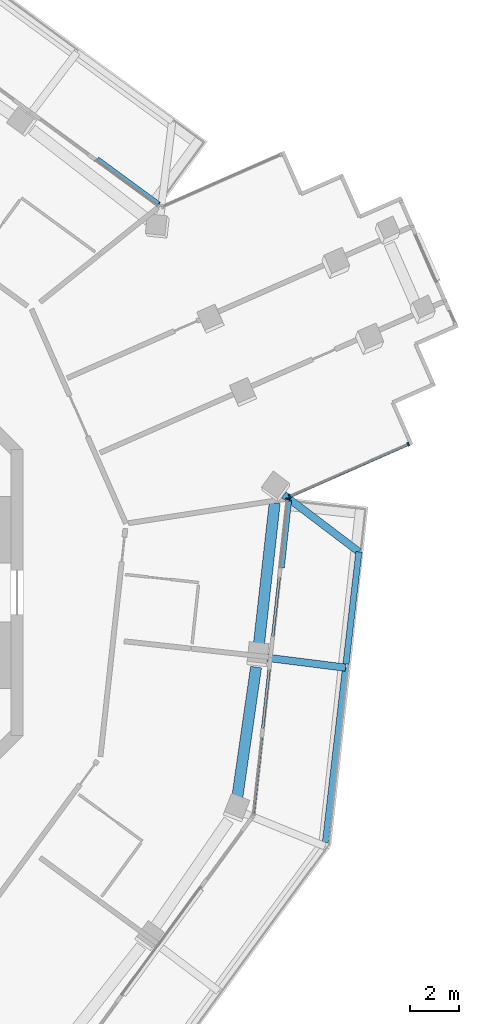
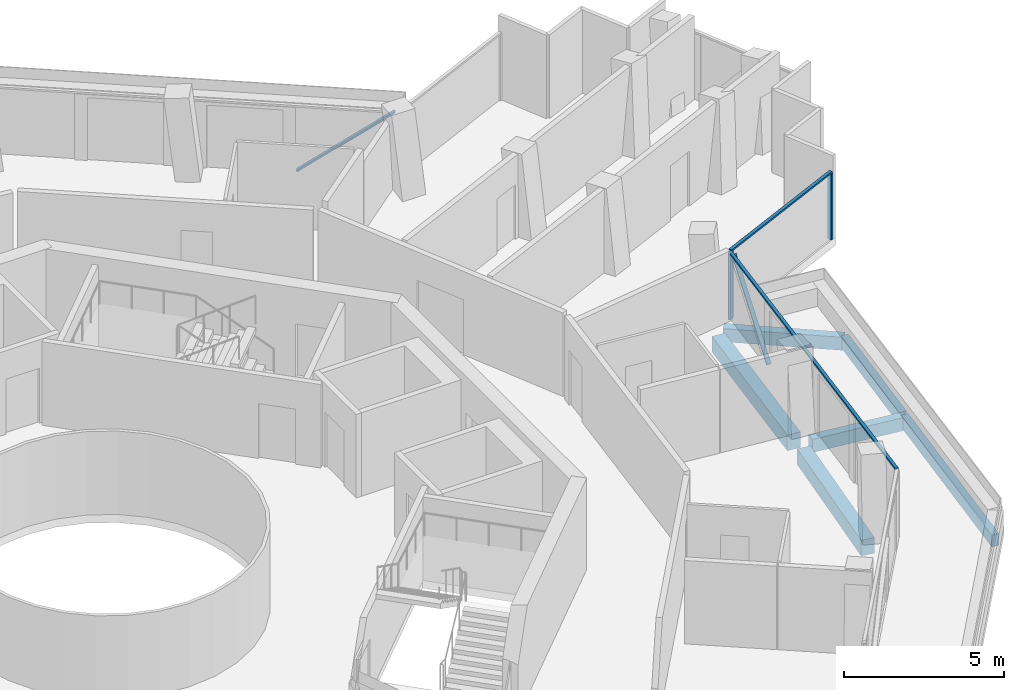
# One storey, part 8 of 22: 7 members, 6 beams, 3 elements without a shape of their own.
"""IFC4 building model written with IfcOpenShell, lengths in metres."""

import ifcopenshell
import ifcopenshell.guid

model = None  # the IFC model being written
_history = None  # IfcOwnerHistory: only IFC2X3 demands one
_inside = {}  # id of a spatial element -> (the spatial element, [elements in it])
_under = {}  # id of a project, library or spatial element -> (it, [spatial elements below it])
_declared = {}  # id of a project -> (the project, [libraries it declares])
_typed = {}  # id of a type object -> (the type object, [elements of that type])
_made_of = {}  # id of a material, layer set ... -> (it, [elements and type objects made of it])


def new_model(schema):
    """Start an empty IFC model of exactly this schema.

    Asked for "IFC4X3", IfcOpenShell would pick the latest addendum, in which some entities
    have other attributes; the version numbers below select the first issue.
    IFC2X3 requires an IfcOwnerHistory on every rooted entity: one is made here for all.
    """
    global model, _history
    if schema == "IFC4X3":
        model = ifcopenshell.file(schema_version=(4, 3, 0, 0))
    else:
        model = ifcopenshell.file(schema=schema)
    _inside.clear()
    _under.clear()
    _declared.clear()
    _typed.clear()
    _made_of.clear()
    _history = None
    if model.schema == "IFC2X3":
        org = make("IfcOrganization", Name="unknown")
        user = make(
            "IfcPersonAndOrganization",
            ThePerson=make("IfcPerson", FamilyName="unknown"),
            TheOrganization=org,
        )
        app = make(
            "IfcApplication",
            ApplicationDeveloper=org,
            Version="unknown",
            ApplicationFullName="unknown",
            ApplicationIdentifier="unknown",
        )
        _history = make(
            "IfcOwnerHistory",
            OwningUser=user,
            OwningApplication=app,
            ChangeAction="ADDED",
            CreationDate=0,
        )
    return model


def make(cls, **values):
    """One entity of the class cls with the attributes given. An attribute that is None is left unset."""
    return model.create_entity(
        cls, **{name: value for name, value in values.items() if value is not None}
    )


def rooted(cls, **values):
    """An entity with a GlobalId (a new one), such as an element, a storey or a relation."""
    return make(cls, GlobalId=ifcopenshell.guid.new(), OwnerHistory=_history, **values)


def si_unit(unit_type, name, prefix=None):
    """IfcSIUnit, for example si_unit("LENGTHUNIT", "METRE", prefix="MILLI")."""
    return make("IfcSIUnit", UnitType=unit_type, Prefix=prefix, Name=name)


def assignment(units):
    """IfcUnitAssignment: the units of a project."""
    return None if units is None else make("IfcUnitAssignment", Units=units)


def point(xyz):
    """IfcCartesianPoint."""
    return None if xyz is None else make("IfcCartesianPoint", Coordinates=xyz)


def direction(xyz):
    """IfcDirection."""
    return None if xyz is None else make("IfcDirection", DirectionRatios=xyz)


def frame(location, z_axis=None, x_axis=None):
    """IfcAxis2Placement3D, a coordinate frame: its origin and axes. An axis left out is left unset."""
    return make(
        "IfcAxis2Placement3D",
        Location=point(location),
        Axis=direction(z_axis),
        RefDirection=direction(x_axis),
    )


def frame_2d(location, x_axis=None):
    """IfcAxis2Placement2D, a coordinate frame in the plane: its origin and x axis."""
    return make(
        "IfcAxis2Placement2D", Location=point(location), RefDirection=direction(x_axis)
    )


def origin():
    """The frame at (0, 0, 0) with its axes left unset."""
    return frame((0.0, 0.0, 0.0))


def origin_2d():
    """The frame at (0, 0) in the plane with its x axis left unset."""
    return frame_2d((0.0, 0.0))


def place(relative_to, where):
    """IfcLocalPlacement: puts the frame where relative to a parent placement (None: the world)."""
    return make(
        "IfcLocalPlacement", PlacementRelTo=relative_to, RelativePlacement=where
    )


def context(
    kind, dimensions, precision=None, world=None, true_north=None, identifier=None
):
    """IfcGeometricRepresentationContext, for example the 3D "Model" context."""
    return make(
        "IfcGeometricRepresentationContext",
        ContextIdentifier=identifier,
        ContextType=kind,
        CoordinateSpaceDimension=dimensions,
        Precision=precision,
        WorldCoordinateSystem=world,
        TrueNorth=true_north,
    )


def subcontext(parent, identifier, kind, view, scale=None):
    """IfcGeometricRepresentationSubContext, for example "Body" below "Model"."""
    return make(
        "IfcGeometricRepresentationSubContext",
        ContextIdentifier=identifier,
        ContextType=kind,
        ParentContext=parent,
        TargetScale=scale,
        TargetView=view,
    )


def project(units=None, contexts=None):
    """IfcProject with its units and contexts."""
    return rooted(
        "IfcProject",
        Name="project",
        RepresentationContexts=contexts,
        UnitsInContext=assignment(units),
    )


def spatial(cls, under=None, at=None, **own):
    """A site, building, storey or space (cls), placed at a placement, below another one or the project."""
    s = rooted(cls, ObjectPlacement=at, **own)
    if under is not None:
        _under.setdefault(under.id(), (under, []))[1].append(s)
    return s


def profile(cls, at=None, kind="AREA", **sizes):
    """A parametric profile (cls). Its sizes go by their IFC names, for example OverallWidth=200.0."""
    return make(cls, ProfileType=kind, Position=at, **sizes)


def rectangle(**sizes):
    """IfcRectangleProfileDef."""
    return profile("IfcRectangleProfileDef", **sizes)


def extrude(swept, where, along, depth):
    """IfcExtrudedAreaSolid: the profile swept, set in the frame where, extruded along a direction by depth."""
    return make(
        "IfcExtrudedAreaSolid",
        SweptArea=swept,
        Position=where,
        ExtrudedDirection=direction(along),
        Depth=depth,
    )


def shape(context_of_items, identifier, shape_type, items):
    """IfcShapeRepresentation: the items that make up one representation, for example the "Body"."""
    return make(
        "IfcShapeRepresentation",
        ContextOfItems=context_of_items,
        RepresentationIdentifier=identifier,
        RepresentationType=shape_type,
        Items=items,
    )


def material(Name=None, Category=None):
    """IfcMaterial."""
    return make("IfcMaterial", Name=Name, Category=Category)


def layer(
    of_material, thickness, ventilated=None, Name=None, Category=None, Priority=None
):
    """IfcMaterialLayer: one layer of a wall or slab, of a material (None: an air gap)."""
    return make(
        "IfcMaterialLayer",
        Material=of_material,
        LayerThickness=thickness,
        IsVentilated=ventilated,
        Name=Name,
        Category=Category,
        Priority=Priority,
    )


def layer_set(layers, Name=None):
    """IfcMaterialLayerSet."""
    return make("IfcMaterialLayerSet", MaterialLayers=layers, LayerSetName=Name)


def material_profile(
    of_material, cross_section, Name=None, Category=None, Priority=None
):
    """IfcMaterialProfile: a cross section and its material."""
    return make(
        "IfcMaterialProfile",
        Name=Name,
        Material=of_material,
        Profile=cross_section,
        Priority=Priority,
        Category=Category,
    )


def profile_set(profiles, Name=None, composite=None):
    """IfcMaterialProfileSet."""
    return make(
        "IfcMaterialProfileSet",
        Name=Name,
        MaterialProfiles=profiles,
        CompositeProfile=composite,
    )


def made_of(thing, what):
    """Note that an element or type object is made of a material, layer set ...; save() writes the relation."""
    if what is not None:
        _made_of.setdefault(what.id(), (what, []))[1].append(thing)
    return thing


def type_object(cls, material=None, **own):
    """A type object (cls), such as IfcWallType, which elements share."""
    return made_of(rooted(cls, **own), material)


def element(
    cls,
    number,
    at=None,
    inside=None,
    cuts=None,
    type_object=None,
    material=None,
    context=None,
    identifier="Body",
    shape_type=None,
    held_by="IfcProductDefinitionShape",
    body=None,
    shapes=None,
    **own,
):
    """One element of the class cls, such as IfcWall. Its Tag is "e" and its number.

    at: its placement. inside: the storey or other place that contains it. cuts: it is an
    opening in that element (IfcRelVoidsElement). A single representation is given by context,
    identifier, shape_type and body (its items); several are given by shapes. held_by: the class
    of the entity that holds the representations. save() writes the other relations.
    """
    e = rooted(cls, Tag="e%d" % number, ObjectPlacement=at, **own)
    if body is not None:
        shapes = [shape(context, identifier, shape_type, body)]
    if shapes is not None:
        e.Representation = make(held_by, Representations=shapes)
    if inside is not None:
        _inside.setdefault(inside.id(), (inside, []))[1].append(e)
    if cuts is not None:
        rooted(
            "IfcRelVoidsElement", RelatingBuildingElement=cuts, RelatedOpeningElement=e
        )
    if type_object is not None:
        _typed.setdefault(type_object.id(), (type_object, []))[1].append(e)
    return made_of(e, material)


def aggregate(whole, parts):
    """IfcRelAggregates: a whole, such as a stair, and the parts it consists of."""
    return rooted("IfcRelAggregates", RelatingObject=whole, RelatedObjects=parts)


def save(model, path):
    """Write the relations noted so far, then the file.

    IfcRelAggregates (storeys below a building ...), IfcRelContainedInSpatialStructure (elements
    in a storey), IfcRelDefinesByType, IfcRelAssociatesMaterial and IfcRelDeclares: one each for
    every whole, place, type object, material and project.
    """
    for whole, parts in _under.values():
        aggregate(whole, parts)
    for where, things in _inside.values():
        rooted(
            "IfcRelContainedInSpatialStructure",
            RelatedElements=things,
            RelatingStructure=where,
        )
    for kind, things in _typed.values():
        rooted("IfcRelDefinesByType", RelatedObjects=things, RelatingType=kind)
    for what, things in _made_of.values():
        rooted("IfcRelAssociatesMaterial", RelatedObjects=things, RelatingMaterial=what)
    for by, libraries in _declared.values():
        rooted("IfcRelDeclares", RelatingContext=by, RelatedDefinitions=libraries)
    model.write(path)


model = new_model("IFC4")

# Units and contexts
model_context = context("Model", 3, precision=1e-05, world=origin(), true_north=direction((0.0, 1.0)))
body_context = subcontext(model_context, "Body", "Model", "MODEL_VIEW")
ifc_project = project(units=[si_unit("LENGTHUNIT", "METRE"), si_unit("AREAUNIT", "SQUARE_METRE"), si_unit("VOLUMEUNIT", "CUBIC_METRE"), si_unit("PLANEANGLEUNIT", "RADIAN"), si_unit("MASSUNIT", "GRAM", prefix="KILO")], contexts=[model_context])

# Site, building, storey
site_placement = place(None, origin())
site = spatial("IfcSite", under=ifc_project, at=site_placement, CompositionType="ELEMENT")
building_placement = place(site_placement, origin())
building = spatial("IfcBuilding", under=site, at=building_placement, Name="Verdalira Terraces Hotel", CompositionType="ELEMENT")
storey_placement = place(building_placement, frame((0.0, 0.0, 252.5)))
storey = spatial("IfcBuildingStorey", under=building, at=storey_placement, Name="L62", CompositionType="ELEMENT", Elevation=252.5)

# Beams
ifc_material_1 = material(Name="Concrete C40", Category="concrete")
ifc_material_profile_1 = material_profile(ifc_material_1, rectangle(XDim=0.300049, YDim=0.5, at=origin_2d()), Name="RC 300X500")
ifc_profile_set_1 = profile_set([ifc_material_profile_1], Name="Concrete C40")
beam_type_1 = type_object("IfcBeamType", Name="Balcony cantilever beam RC 300X500 C40", PredefinedType="BEAM", material=ifc_profile_set_1)
beam_1_placement = place(storey_placement, frame((23.911865, -2.648682, -0.560059), z_axis=(0.992116278, -0.125320754, 0.0), x_axis=(0.125320754, 0.992116278, 0.0)))
element("IfcBeam", 1, at=beam_1_placement, inside=storey, type_object=beam_type_1, Name="Balcony cantilever beam R26-4", PredefinedType="BEAM", context=body_context, shape_type="SweptSolid", body=[
    extrude(rectangle(XDim=0.300049, YDim=0.5, at=origin_2d()), origin(), (0.0, 0.0, 1.0), 3.200684),
])
beam_2_placement = place(storey_placement, frame((24.585693, 3.9646, -0.560059), z_axis=(0.796475938, -0.604670225, 0.0), x_axis=(0.604670225, 0.796475938, 0.0)))
element("IfcBeam", 2, at=beam_2_placement, inside=storey, type_object=beam_type_1, Name="Balcony cantilever beam R26-5", PredefinedType="BEAM", context=body_context, shape_type="SweptSolid", body=[
    extrude(rectangle(XDim=0.300049, YDim=0.5, at=origin_2d()), origin(), (0.0, 0.0, 1.0), 3.822266),
])
ifc_material_2 = material(Name="Concrete C40", Category="concrete")
ifc_material_profile_2 = material_profile(ifc_material_2, rectangle(XDim=0.25, YDim=0.449951, at=origin_2d()), Name="RC 250X450")
ifc_profile_set_2 = profile_set([ifc_material_profile_2], Name="Concrete C40")
beam_type_2 = type_object("IfcBeamType", Name="Balcony edge beam RC 250X450 C40", PredefinedType="BEAM", material=ifc_profile_set_2)
beam_3_placement = place(storey_placement, frame((26.269287, -10.14917, -0.534912), z_axis=(0.114480173, 0.993425533, 0.0), x_axis=(-0.993425533, 0.114480173, 0.0)))
element("IfcBeam", 3, at=beam_3_placement, inside=storey, type_object=beam_type_2, Name="Balcony edge beam R26-3", PredefinedType="BEAM", context=body_context, shape_type="SweptSolid", body=[
    extrude(rectangle(XDim=0.25, YDim=0.449951, at=origin_2d()), origin(), (0.0, 0.0, 1.0), 7.14624),
])
beam_4_placement = place(storey_placement, frame((27.104492, -2.900879, -0.534912), z_axis=(0.114656449, 0.993405204, 0.0), x_axis=(-0.993405204, 0.114656449, 0.0)))
element("IfcBeam", 4, at=beam_4_placement, inside=storey, type_object=beam_type_2, Name="Balcony edge beam R26-4", PredefinedType="BEAM", context=body_context, shape_type="SweptSolid", body=[
    extrude(rectangle(XDim=0.25, YDim=0.449951, at=origin_2d()), origin(), (0.0, 0.0, 1.0), 4.584473),
])

# Curtain wall, members
ifc_material_3 = material(Name="Clear glass", Category="glass")
ifc_layer_1 = layer(ifc_material_3, 0.14990234375)
ifc_layer_set_1 = layer_set([ifc_layer_1], Name="CW1 curtain wall")
curtain_wall_type_1 = type_object("IfcCurtainWallType", Name="CW1 curtain wall", PredefinedType="NOTDEFINED", material=ifc_layer_set_1)
curtain_wall_1_placement = place(storey_placement, origin())
curtain_wall_1 = element("IfcCurtainWall", 5, at=curtain_wall_1_placement, inside=storey, type_object=curtain_wall_type_1, Name="CW1 curtain wall L62 edge 27", PredefinedType="NOTDEFINED")
ifc_material_4 = material(Name="Terracotta frame", Category="masonry")
ifc_material_profile_3 = material_profile(ifc_material_4, rectangle(XDim=0.060059, YDim=0.149902, at=origin_2d()), Name="MU 60x150")
ifc_profile_set_3 = profile_set([ifc_material_profile_3], Name="Terracotta frame")
member_type_1 = type_object("IfcMemberType", Name="CW1 mullion 60x150", PredefinedType="MULLION", material=ifc_profile_set_3)
member_1_placement = place(storey_placement, frame((24.743408, 3.802979, 0.0), z_axis=(0.0, 0.0, 1.0), x_axis=(0.108693378, 0.994075324, 0.0)))
member_1 = element("IfcMember", 6, at=member_1_placement, type_object=member_type_1, Name="CW1 mullion", PredefinedType="MULLION", context=body_context, shape_type="SweptSolid", body=[
    extrude(rectangle(XDim=0.060059, YDim=0.149902, at=origin_2d()), origin(), (0.0, 0.0, 1.0), 2.524902),
])
ifc_material_5 = material(Name="Terracotta frame", Category="masonry")
ifc_material_profile_4 = material_profile(ifc_material_5, rectangle(XDim=0.110107, YDim=0.064941, at=origin_2d()), Name="TR 65x110")
ifc_profile_set_4 = profile_set([ifc_material_profile_4], Name="Terracotta frame")
member_type_2 = type_object("IfcMemberType", Name="CW1 transom 65x110", PredefinedType="USERDEFINED", material=ifc_profile_set_4)
member_2_placement = place(storey_placement, frame((23.337891, -9.050049, 2.557617), z_axis=(0.108696632, 0.994074968, 0.0), x_axis=(-0.994074968, 0.108696632, 0.0)))
member_2 = element("IfcMember", 7, at=member_2_placement, type_object=member_type_2, Name="CW1 transom", ObjectType="TRANSOM", PredefinedType="USERDEFINED", context=body_context, shape_type="SweptSolid", body=[
    extrude(rectangle(XDim=0.110107, YDim=0.064941, at=origin_2d()), origin(), (0.0, 0.0, 1.0), 12.959961),
])

ifc_material_6 = material(Name="Clear glass", Category="glass")
ifc_layer_2 = layer(ifc_material_6, 0.14990234375)
ifc_layer_set_2 = layer_set([ifc_layer_2], Name="CW2 curtain wall")
curtain_wall_type_2 = type_object("IfcCurtainWallType", Name="CW2 curtain wall", PredefinedType="NOTDEFINED", material=ifc_layer_set_2)
curtain_wall_2_placement = place(storey_placement, origin())
curtain_wall_2 = element("IfcCurtainWall", 8, at=curtain_wall_2_placement, inside=storey, type_object=curtain_wall_type_2, Name="CW2 curtain wall L62 edge 28", PredefinedType="NOTDEFINED")
ifc_material_7 = material(Name="Terracotta frame", Category="masonry")
ifc_material_profile_5 = material_profile(ifc_material_7, rectangle(XDim=0.070068, YDim=0.149902, at=origin_2d()), Name="MU 70x150")
ifc_profile_set_5 = profile_set([ifc_material_profile_5], Name="Terracotta frame")
member_type_3 = type_object("IfcMemberType", Name="CW2 mullion 70x150", PredefinedType="MULLION", material=ifc_profile_set_5)
member_3_placement = place(storey_placement, frame((24.822998, 3.907471, 0.0), z_axis=(0.0, 0.0, 1.0), x_axis=(0.915241173, 0.402906436, 0.0)))
member_3 = element("IfcMember", 9, at=member_3_placement, type_object=member_type_3, Name="CW2 mullion", PredefinedType="MULLION", context=body_context, shape_type="SweptSolid", body=[
    extrude(rectangle(XDim=0.070068, YDim=0.149902, at=origin_2d()), origin(), (0.0, 0.0, 1.0), 2.524902),
])
member_4_placement = place(storey_placement, frame((29.634277, 6.025391, 0.0), z_axis=(0.0, 0.0, 1.0), x_axis=(0.915241173, 0.402906436, 0.0)))
member_4 = element("IfcMember", 10, at=member_4_placement, type_object=member_type_3, Name="CW2 mullion", PredefinedType="MULLION", context=body_context, shape_type="SweptSolid", body=[
    extrude(rectangle(XDim=0.070068, YDim=0.149902, at=origin_2d()), origin(), (0.0, 0.0, 1.0), 2.524902),
])
ifc_material_8 = material(Name="Terracotta frame", Category="masonry")
ifc_material_profile_6 = material_profile(ifc_material_8, rectangle(XDim=0.11499, YDim=0.064941, at=origin_2d()), Name="TR 65x115")
ifc_profile_set_6 = profile_set([ifc_material_profile_6], Name="Terracotta frame")
member_type_4 = type_object("IfcMemberType", Name="CW2 transom 65x115", PredefinedType="USERDEFINED", material=ifc_profile_set_6)
member_5_placement = place(storey_placement, frame((24.791016, 3.893311, 2.557617), z_axis=(0.91523662, 0.402916777, 0.0), x_axis=(-0.402916777, 0.91523662, 0.0)))
member_5 = element("IfcMember", 11, at=member_5_placement, type_object=member_type_4, Name="CW2 transom", ObjectType="TRANSOM", PredefinedType="USERDEFINED", context=body_context, shape_type="SweptSolid", body=[
    extrude(rectangle(XDim=0.11499, YDim=0.064941, at=origin_2d()), origin(), (0.0, 0.0, 1.0), 5.32666),
])
aggregate(curtain_wall_2, [member_3, member_4, member_5])

# Member
ifc_material_9 = material(Name="Terracotta frame", Category="masonry")
ifc_material_profile_7 = material_profile(ifc_material_9, rectangle(XDim=0.149902, YDim=0.060059, at=origin_2d()), Name="GB 60x150")
ifc_profile_set_7 = profile_set([ifc_material_profile_7], Name="Terracotta frame")
member_type_5 = type_object("IfcMemberType", Name="Diagonal glazing bar 60x150", PredefinedType="USERDEFINED", material=ifc_profile_set_7)
member_6_placement = place(storey_placement, frame((24.529297, 1.0271, 0.023438), z_axis=(0.080439184, 0.73568061, 0.672535187), x_axis=(-0.994075471, 0.108692031, 0.0)))
member_6 = element("IfcMember", 12, at=member_6_placement, type_object=member_type_5, Name="Diagonal glazing bar", ObjectType="GLAZING BAR", PredefinedType="USERDEFINED", context=body_context, shape_type="SweptSolid", body=[
    extrude(rectangle(XDim=0.149902, YDim=0.060059, at=origin_2d()), origin(), (0.0, 0.0, 1.0), 3.68457),
])

aggregate(curtain_wall_1, [member_1, member_2, member_6])

# Curtain wall, member
curtain_wall_3_placement = place(storey_placement, origin())
curtain_wall_3 = element("IfcCurtainWall", 13, at=curtain_wall_3_placement, inside=storey, type_object=curtain_wall_type_1, Name="CW1 curtain wall L62 edge 39", PredefinedType="NOTDEFINED")
member_7_placement = place(storey_placement, frame((19.518555, 15.787842, 2.500488), z_axis=(-0.628527053, 0.460689134, -0.626673173), x_axis=(-0.59117113, -0.806546152, 0.0)))
member_7 = element("IfcMember", 14, at=member_7_placement, type_object=member_type_5, Name="Diagonal glazing bar", ObjectType="GLAZING BAR", PredefinedType="USERDEFINED", context=body_context, shape_type="SweptSolid", body=[
    extrude(rectangle(XDim=0.149902, YDim=0.060059, at=origin_2d()), origin(), (0.0, 0.0, 1.0), 3.950684),
])
aggregate(curtain_wall_3, [member_7])

# Beams
ifc_material_10 = material(Name="Concrete C40", Category="concrete")
ifc_material_profile_8 = material_profile(ifc_material_10, rectangle(XDim=0.449951, YDim=0.600098, at=origin_2d()), Name="RC 450X600")
ifc_profile_set_8 = profile_set([ifc_material_profile_8], Name="Concrete C40")
beam_type_3 = type_object("IfcBeamType", Name="Spandrel beam RC 450X600 C40", PredefinedType="SPANDREL", material=ifc_profile_set_8)
beam_5_placement = place(storey_placement, frame((22.684814, -8.369385, -0.610107), z_axis=(0.142497924, 0.989795101, 0.0), x_axis=(-0.989795101, 0.142497924, 0.0)))
element("IfcBeam", 15, at=beam_5_placement, inside=storey, type_object=beam_type_3, Name="Spandrel beam B15", PredefinedType="SPANDREL", context=body_context, shape_type="SweptSolid", body=[
    extrude(rectangle(XDim=0.449951, YDim=0.600098, at=origin_2d()), origin(), (0.0, 0.0, 1.0), 5.396973),
])
beam_6_placement = place(storey_placement, frame((23.556885, -2.22168, -0.610107), z_axis=(0.110963599, 0.993824471, 0.0), x_axis=(-0.993824471, 0.110963599, 0.0)))
element("IfcBeam", 16, at=beam_6_placement, inside=storey, type_object=beam_type_3, Name="Spandrel beam B16", PredefinedType="SPANDREL", context=body_context, shape_type="SweptSolid", body=[
    extrude(rectangle(XDim=0.449951, YDim=0.600098, at=origin_2d()), origin(), (0.0, 0.0, 1.0), 5.89209),
])

save(model, "model.ifc")
